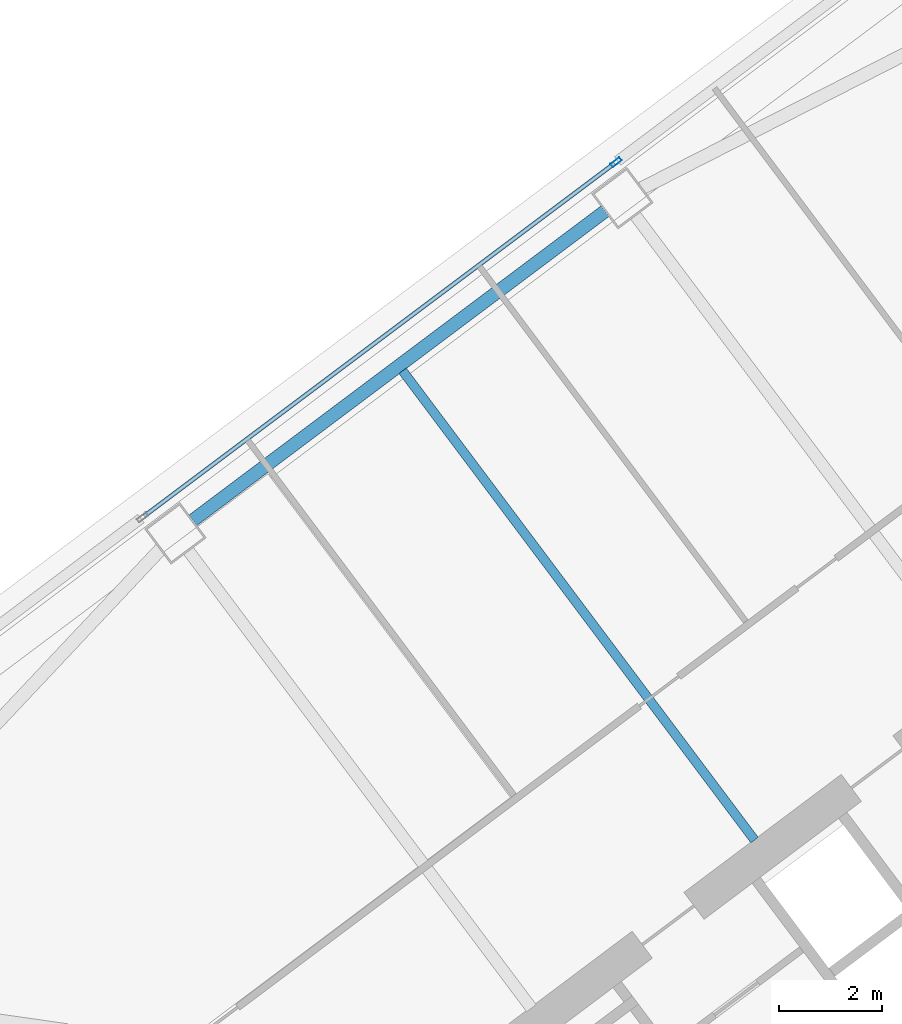
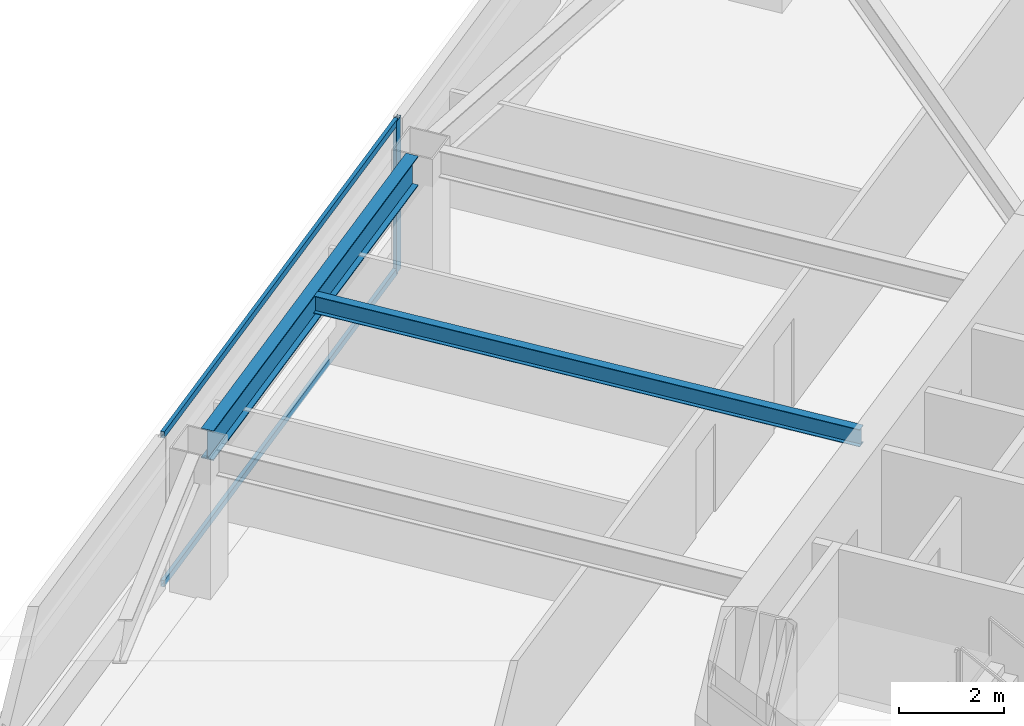
# One storey, part 26 of 44: 3 members, 2 beams, 1 element without a shape of its own.
"""IFC4 building model written with IfcOpenShell, lengths in metres."""

from ifc_helpers import new_model, si_unit, direction, frame, origin, origin_2d, place, context, subcontext, project, spatial, hollow_rectangle, i_section, extrude, material, material_profile, profile_set, type_object, element, aggregate, save


model = new_model("IFC4")

# Units and contexts
model_context = context("Model", 3, precision=1e-05, world=origin(), true_north=direction((0.0, 1.0)))
body_context = subcontext(model_context, "Body", "Model", "MODEL_VIEW")
ifc_project = project(units=[si_unit("LENGTHUNIT", "METRE"), si_unit("AREAUNIT", "SQUARE_METRE"), si_unit("VOLUMEUNIT", "CUBIC_METRE"), si_unit("PLANEANGLEUNIT", "RADIAN"), si_unit("MASSUNIT", "GRAM", prefix="KILO")], contexts=[model_context])

# Site, building, storey
site_placement = place(None, origin())
site = spatial("IfcSite", under=ifc_project, at=site_placement, CompositionType="ELEMENT")
building_placement = place(site_placement, origin())
building = spatial("IfcBuilding", under=site, at=building_placement, Name="Tashvorn Skyway Center", CompositionType="ELEMENT")
storey_placement = place(building_placement, frame((0.0, 0.0, 84.949951171875)))
storey = spatial("IfcBuildingStorey", under=building, at=storey_placement, Name="L22", CompositionType="ELEMENT", Elevation=84.949951171875)

# Beams
ifc_material_1 = material(Name="Steel ASTM A992 Grade 50", Category="steel")
ifc_material_profile_1 = material_profile(ifc_material_1, i_section(OverallWidth=0.177978515625, OverallDepth=0.406005859375, WebThickness=0.0078125, FlangeThickness=0.0126953125, at=origin_2d()), Name="W16X40")
ifc_profile_set_1 = profile_set([ifc_material_profile_1], Name="Steel ASTM A992 Grade 50")
beam_type_1 = type_object("IfcBeamType", Name="BM-JOIST-W16X40", PredefinedType="JOIST", material=ifc_profile_set_1)
beam_1_placement = place(storey_placement, frame((109.325927734375, 38.23193359375, 3.14697265625), z_axis=(-0.599996555327, 0.800002583493, 0.0), x_axis=(-0.800002583493, -0.599996555327, 0.0)))
element("IfcBeam", 1, at=beam_1_placement, inside=storey, type_object=beam_type_1, Name="Tower 2 L22 Secondary Composite Joist JN", PredefinedType="JOIST", context=body_context, shape_type="SweptSolid", body=[
    extrude(i_section(OverallWidth=0.177978515625, OverallDepth=0.406005859375, WebThickness=0.0078125, FlangeThickness=0.0126953125, at=origin_2d()), origin(), (0.0, 0.0, 1.0), 11.340087890625),
])
ifc_material_profile_2 = material_profile(ifc_material_1, i_section(OverallWidth=0.256103515625, OverallDepth=0.693115234375, WebThickness=0.014404296875, FlangeThickness=0.023681640625, at=origin_2d()), Name="W27X114")
ifc_profile_set_2 = profile_set([ifc_material_profile_2], Name="Steel ASTM A992 Grade 50")
beam_type_2 = type_object("IfcBeamType", Name="BM-SPANDREL-W27X114", PredefinedType="SPANDREL", material=ifc_profile_set_2)
beam_2_placement = place(storey_placement, frame((106.43408203125, 50.387939453125, 3.003662109375), z_axis=(-0.800008824351, -0.599988234018, 0.0), x_axis=(0.599988234018, -0.800008824351, 0.0)))
element("IfcBeam", 2, at=beam_2_placement, inside=storey, type_object=beam_type_2, Name="Tower 2 L22 Spandrel Beam 08", PredefinedType="SPANDREL", context=body_context, shape_type="SweptSolid", body=[
    extrude(i_section(OverallWidth=0.256103515625, OverallDepth=0.693115234375, WebThickness=0.014404296875, FlangeThickness=0.023681640625, at=origin_2d()), origin(), (0.0, 0.0, 1.0), 9.9599609375),
])

# Curtain wall, members
ifc_material_2 = material(Name="Thermally broken bronze-anodized aluminium 6063-T6", Category="aluminium")
curtain_wall_type = type_object("IfcCurtainWallType", Name="CW-CW-Z2", PredefinedType="NOTDEFINED", material=ifc_material_2)
curtain_wall_placement = place(storey_placement, origin())
curtain_wall = element("IfcCurtainWall", 3, at=curtain_wall_placement, inside=storey, type_object=curtain_wall_type, Name="Tower 2 L22 North Unitised Curtain Wall Glazing Group 2", PredefinedType="NOTDEFINED")
ifc_material_profile_3 = material_profile(ifc_material_2, hollow_rectangle(XDim=0.080078125, YDim=0.219970703125, WallThickness=0.0048828125, at=origin_2d()), Name="ALU-MULL-80x220")
ifc_profile_set_3 = profile_set([ifc_material_profile_3], Name="Thermally broken bronze-anodized aluminium 6063-T6")
member_type_1 = type_object("IfcMemberType", Name="CWM-CW-Z2", PredefinedType="MULLION", material=ifc_profile_set_3)
member_1_placement = place(storey_placement, frame((106.64794921875, 51.3359375, 0.0), z_axis=(0.0, 0.0, 1.0), x_axis=(-0.600000000002, 0.799999999998, 0.0)))
member_1 = element("IfcMember", 4, at=member_1_placement, type_object=member_type_1, Name="CW-Z2 mullion 2", PredefinedType="MULLION", context=body_context, shape_type="SweptSolid", body=[
    extrude(hollow_rectangle(XDim=0.080078125, YDim=0.219970703125, WallThickness=0.0048828125, at=origin_2d()), origin(), (0.0, 0.0, 1.0), 3.550048828125),
])
ifc_material_profile_4 = material_profile(ifc_material_2, hollow_rectangle(XDim=0.080078125, YDim=0.14990234375, WallThickness=0.00439453125, at=origin_2d()), Name="ALU-TRAN-80x150")
ifc_profile_set_4 = profile_set([ifc_material_profile_4], Name="Thermally broken bronze-anodized aluminium 6063-T6")
member_type_2 = type_object("IfcMemberType", Name="CWT-CW-Z2", PredefinedType="USERDEFINED", material=ifc_profile_set_4)
member_2_placement = place(storey_placement, frame((97.528076171875, 44.49609375, 0.0400390625), z_axis=(0.8, 0.6, 0.0), x_axis=(-0.6, 0.8, 0.0)))
member_2 = element("IfcMember", 5, at=member_2_placement, type_object=member_type_2, Name="CW-Z2 transom 1.1", ObjectType="TRANSOM", PredefinedType="USERDEFINED", context=body_context, shape_type="SweptSolid", body=[
    extrude(hollow_rectangle(XDim=0.080078125, YDim=0.14990234375, WallThickness=0.00439453125, at=origin_2d()), origin(), (0.0, 0.0, 1.0), 11.35986328125),
])
member_3_placement = place(storey_placement, frame((97.528076171875, 44.49609375, 3.510009765625), z_axis=(0.8, 0.6, 0.0), x_axis=(-0.6, 0.8, 0.0)))
member_3 = element("IfcMember", 6, at=member_3_placement, type_object=member_type_2, Name="CW-Z2 transom 1.2", ObjectType="TRANSOM", PredefinedType="USERDEFINED", context=body_context, shape_type="SweptSolid", body=[
    extrude(hollow_rectangle(XDim=0.080078125, YDim=0.14990234375, WallThickness=0.00439453125, at=origin_2d()), origin(), (0.0, 0.0, 1.0), 11.35986328125),
])
aggregate(curtain_wall, [member_1, member_2, member_3])

save(model, "model.ifc")
